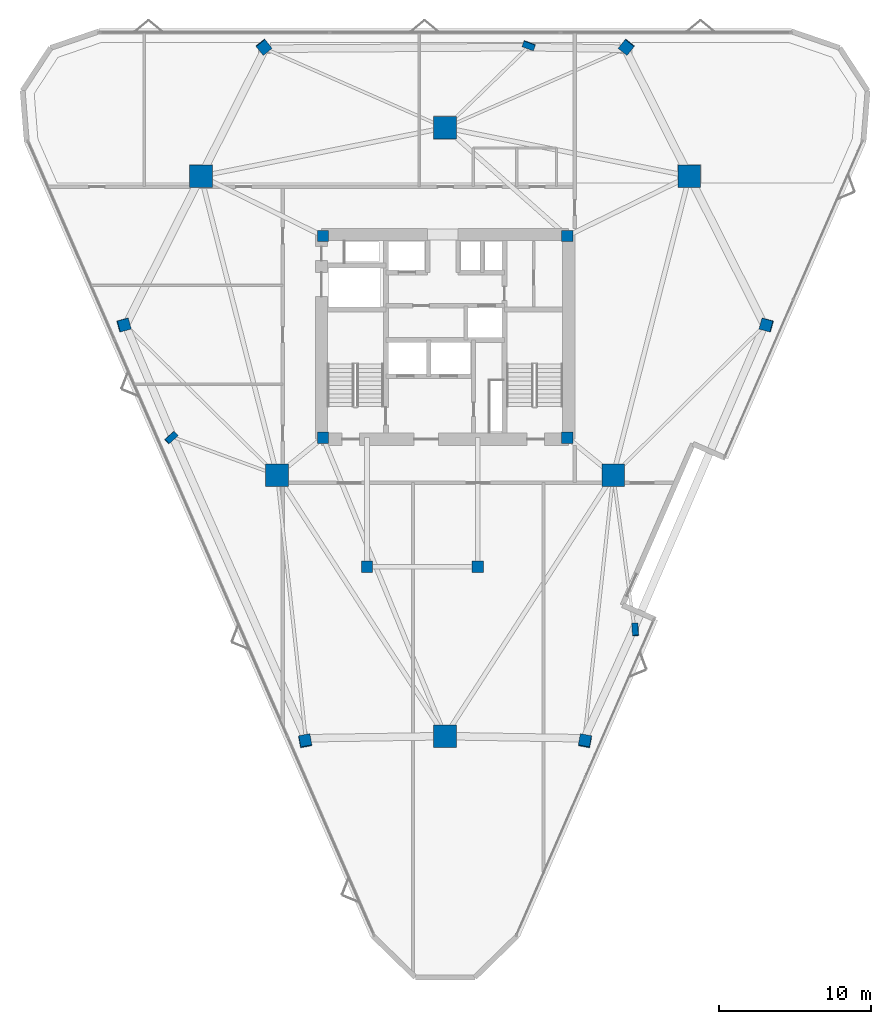
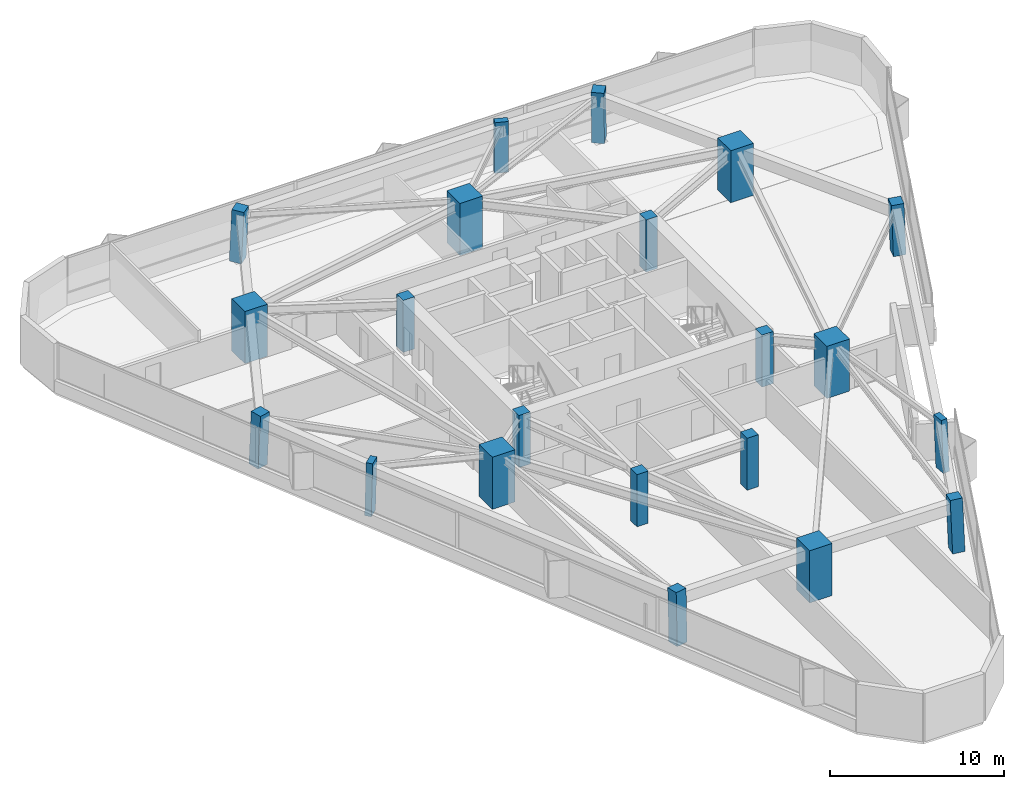
# One storey, part 1 of 12: 21 columns.
"""IFC4 building model written with IfcOpenShell, lengths in metres."""

from ifc_helpers import new_model, si_unit, direction, frame, origin, origin_2d, place, context, subcontext, project, spatial, rectangle, extrude, material, material_profile, profile_set, type_object, element, save


model = new_model("IFC4")

# Units and contexts
model_context = context("Model", 3, precision=1e-05, world=origin(), true_north=direction((0.0, 1.0)))
body_context = subcontext(model_context, "Body", "Model", "MODEL_VIEW")
ifc_project = project(units=[si_unit("LENGTHUNIT", "METRE"), si_unit("AREAUNIT", "SQUARE_METRE"), si_unit("VOLUMEUNIT", "CUBIC_METRE"), si_unit("PLANEANGLEUNIT", "RADIAN"), si_unit("MASSUNIT", "GRAM", prefix="KILO")], contexts=[model_context])

# Site, building, storey
site_placement = place(None, origin())
site = spatial("IfcSite", under=ifc_project, at=site_placement, CompositionType="ELEMENT")
building_placement = place(site_placement, origin())
building = spatial("IfcBuilding", under=site, at=building_placement, Name="Talyreon Biosciences Tower", CompositionType="ELEMENT")
storey_placement = place(building_placement, frame((0.0, 0.0, 156.39990234375)))
storey = spatial("IfcBuildingStorey", under=building, at=storey_placement, Name="L41", CompositionType="ELEMENT", Elevation=156.39990234375)

# Columns
ifc_material_1 = material(Name="Precast concrete C45/55", Category="concrete")
ifc_material_profile_1 = material_profile(ifc_material_1, rectangle(XDim=0.800048828125, YDim=0.39990234375, at=origin_2d()), Name="RC 800x400")
ifc_profile_set_1 = profile_set([ifc_material_profile_1], Name="Precast concrete C45/55")
column_type_1 = type_object("IfcColumnType", Name="FacadePilaster_800x400", PredefinedType="PILASTER", material=ifc_profile_set_1)
column_1_placement = place(storey_placement, frame((78.55029296875, 48.678955078125, 0.003173828125), z_axis=(-0.019611953815, 0.038353752683, 0.999071749637), x_axis=(0.06121249044, -0.9973432955, 0.039489010319)))
element("IfcColumn", 1, at=column_1_placement, inside=storey, type_object=column_type_1, Name="L41 Facade Pilaster PL-SE", PredefinedType="PILASTER", context=body_context, shape_type="SweptSolid", body=[
    extrude(rectangle(XDim=0.800048828125, YDim=0.39990234375, at=origin_2d()), origin(), (0.0, 0.0, 1.0), 3.6474609375),
])
column_2_placement = place(storey_placement, frame((71.523681640625, 87.224853515625, 0.003173828125), z_axis=(-0.01238655289, -0.033544124313, 0.999360478022), x_axis=(-0.9380871136, 0.346399433166, 0.0)))
element("IfcColumn", 2, at=column_2_placement, inside=storey, type_object=column_type_1, Name="L41 Facade Pilaster PL-N", PredefinedType="PILASTER", context=body_context, shape_type="SweptSolid", body=[
    extrude(rectangle(XDim=0.800048828125, YDim=0.39990234375, at=origin_2d()), origin(), (0.0, 0.0, 1.0), 3.646484375),
])
column_3_placement = place(storey_placement, frame((47.926025390625, 61.3515625, 0.003173828125), z_axis=(0.032073344648, 0.010579516606, 0.999429524475), x_axis=(0.744905617329, 0.666451122906, -0.030960007244)))
element("IfcColumn", 3, at=column_3_placement, inside=storey, type_object=column_type_1, Name="L41 Facade Pilaster PL-SW", PredefinedType="PILASTER", context=body_context, shape_type="SweptSolid", body=[
    extrude(rectangle(XDim=0.800048828125, YDim=0.39990234375, at=origin_2d()), origin(), (0.0, 0.0, 1.0), 3.646240234375),
])
ifc_material_2 = material(Name="Concrete C60/75", Category="concrete")
ifc_material_profile_2 = material_profile(ifc_material_2, rectangle(XDim=1.5, YDim=1.5, at=origin_2d()), Name="RC 1500x1500")
ifc_profile_set_2 = profile_set([ifc_material_profile_2], Name="Concrete C60/75")
column_type_2 = type_object("IfcColumnType", Name="MegaColumn_1500", PredefinedType="COLUMN", material=ifc_profile_set_2)
for number, where, z_axis, x_axis, name in (
    (4, (66.0, 41.6669921875, 0.0), (0.0, 0.0, 1.0), (1.0, 0.0, 0.0), "L41 Composite Mega-Column MC1"),
    (5, (82.102294921875, 78.5986328125, 0.0), (0.0, 0.0, 1.0), (1.0, 0.0, 0.0), "L41 Composite Mega-Column MC2"),
    (6, (49.897705078125, 78.5986328125, 0.0), (0.0, 0.0, 1.0), (1.0, 0.0, 0.0), "L41 Composite Mega-Column MC3"),
    (7, (77.086181640625, 58.88037109375, 0.0), (0.0, 0.0, 1.0), (1.0, 0.0, 0.0), "L41 Composite Mega-Column MC4"),
    (8, (66.0, 81.788818359375, 0.0), (0.0, 0.0, 1.0), (1.0, 0.0, 0.0), "L41 Composite Mega-Column MC5"),
    (9, (54.913818359375, 58.88037109375, 0.0), (0.0, 0.0, 1.0), (1.0, 0.0, 0.0), "L41 Composite Mega-Column MC6"),
):
    element("IfcColumn", number, at=place(storey_placement, frame(where, z_axis=z_axis, x_axis=x_axis)), inside=storey, type_object=column_type_2, Name=name, PredefinedType="COLUMN", context=body_context, shape_type="SweptSolid", body=[
        extrude(rectangle(XDim=1.5, YDim=1.5, at=origin_2d()), origin(), (0.0, 0.0, 1.0), 3.650146484375),
    ])
ifc_material_3 = material(Name="Concrete C50/60", Category="concrete")
ifc_material_profile_3 = material_profile(ifc_material_3, rectangle(XDim=0.75, YDim=0.75, at=origin_2d()), Name="RC 750x750")
ifc_profile_set_3 = profile_set([ifc_material_profile_3], Name="Concrete C50/60")
column_type_3 = type_object("IfcColumnType", Name="PerimeterColumn_750", PredefinedType="COLUMN", material=ifc_profile_set_3)
for number, where, z_axis, x_axis, name in (
    (10, (57.949951171875, 61.35009765625, 0.0), (0.0, 0.0, 1.0), (1.0, 0.0, 0.0), "L41 Core Column CC1"),
    (11, (74.050048828125, 61.35009765625, 0.0), (0.0, 0.0, 1.0), (1.0, 0.0, 0.0), "L41 Core Column CC2"),
    (12, (74.050048828125, 74.64990234375, 0.0), (0.0, 0.0, 1.0), (1.0, 0.0, 0.0), "L41 Core Column CC3"),
    (13, (57.949951171875, 74.64990234375, 0.0), (0.0, 0.0, 1.0), (1.0, 0.0, 0.0), "L41 Core Column CC4"),
    (14, (60.85009765625, 52.840087890625, 0.0), (0.0, 0.0, 1.0), (1.0, 0.0, 0.0), "L41 Core Column CSW"),
    (15, (68.14990234375, 52.840087890625, 0.0), (0.0, 0.0, 1.0), (1.0, 0.0, 0.0), "L41 Core Column CSE"),
):
    element("IfcColumn", number, at=place(storey_placement, frame(where, z_axis=z_axis, x_axis=x_axis)), inside=storey, type_object=column_type_3, Name=name, PredefinedType="COLUMN", context=body_context, shape_type="SweptSolid", body=[
        extrude(rectangle(XDim=0.75, YDim=0.75, at=origin_2d()), origin(), (0.0, 0.0, 1.0), 3.650146484375),
    ])
column_4_placement = place(storey_placement, frame((75.236328125, 41.32666015625, 0.003173828125), z_axis=(-0.012375096162, 0.054517315524, 0.998436136818), x_axis=(-0.187045902054, -0.981013510732, 0.051247656396)))
element("IfcColumn", 16, at=column_4_placement, inside=storey, type_object=column_type_3, Name="L41 Tapering Perimeter Column PC-SE1", PredefinedType="COLUMN", context=body_context, shape_type="SweptSolid", body=[
    extrude(rectangle(XDim=0.75, YDim=0.75, at=origin_2d()), origin(), (0.0, 0.0, 1.0), 3.649658203125),
])
column_5_placement = place(storey_placement, frame((87.204345703125, 68.783935546875, 0.003173828125), z_axis=(-0.039229493406, -0.00569028488, 0.999214024874), x_axis=(0.963854781187, -0.263938430727, 0.036338210851)))
element("IfcColumn", 17, at=column_5_placement, inside=storey, type_object=column_type_3, Name="L41 Tapering Perimeter Column PC-SE2", PredefinedType="COLUMN", context=body_context, shape_type="SweptSolid", body=[
    extrude(rectangle(XDim=0.75, YDim=0.75, at=origin_2d()), origin(), (0.0, 0.0, 1.0), 3.64697265625),
])
for number, where, z_axis, x_axis, name in (
    (18, (77.968017578125, 87.124755859375, 0.003173828125), (-0.026841076243, -0.033534611465, 0.999077067328), (-0.780716755404, 0.624885067698, 0.0), "L41 Tapering Perimeter Column PC-N1"),
    (19, (54.031982421875, 87.124755859375, 0.003173828125), (0.026841076243, -0.033534611465, 0.999077067328), (-0.780716755404, -0.624885067698, 0.0), "L41 Tapering Perimeter Column PC-N2"),
):
    element("IfcColumn", number, at=place(storey_placement, frame(where, z_axis=z_axis, x_axis=x_axis)), inside=storey, type_object=column_type_3, Name=name, PredefinedType="COLUMN", context=body_context, shape_type="SweptSolid", body=[
        extrude(rectangle(XDim=0.75, YDim=0.75, at=origin_2d()), origin(), (0.0, 0.0, 1.0), 3.6474609375),
    ])
column_6_placement = place(storey_placement, frame((44.795654296875, 68.783935546875, 0.003173828125), z_axis=(0.039229493406, -0.00569028488, 0.999214024874), x_axis=(0.963854781187, 0.263938430727, -0.036338210851)))
element("IfcColumn", 20, at=column_6_placement, inside=storey, type_object=column_type_3, Name="L41 Tapering Perimeter Column PC-SW1", PredefinedType="COLUMN", context=body_context, shape_type="SweptSolid", body=[
    extrude(rectangle(XDim=0.75, YDim=0.75, at=origin_2d()), origin(), (0.0, 0.0, 1.0), 3.64697265625),
])
column_7_placement = place(storey_placement, frame((56.763671875, 41.32666015625, 0.003173828125), z_axis=(0.012375096162, 0.054517315524, 0.998436136818), x_axis=(-0.187045902054, 0.981013510732, -0.051247656396)))
element("IfcColumn", 21, at=column_7_placement, inside=storey, type_object=column_type_3, Name="L41 Tapering Perimeter Column PC-SW2", PredefinedType="COLUMN", context=body_context, shape_type="SweptSolid", body=[
    extrude(rectangle(XDim=0.75, YDim=0.75, at=origin_2d()), origin(), (0.0, 0.0, 1.0), 3.649658203125),
])

save(model, "model.ifc")
